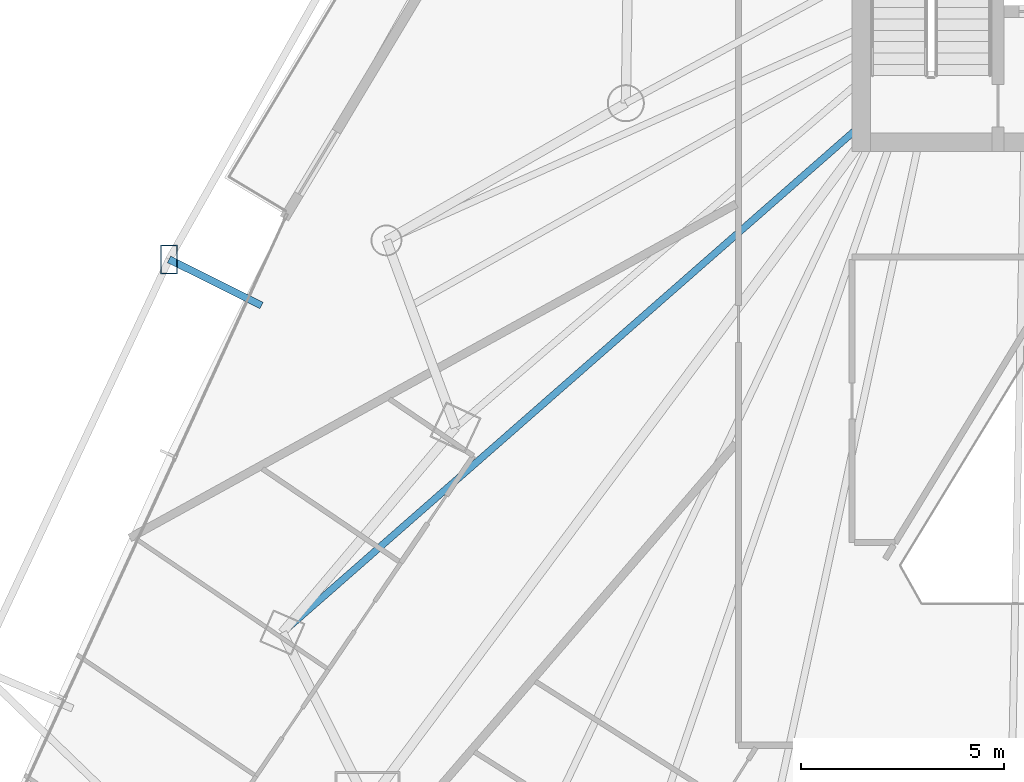
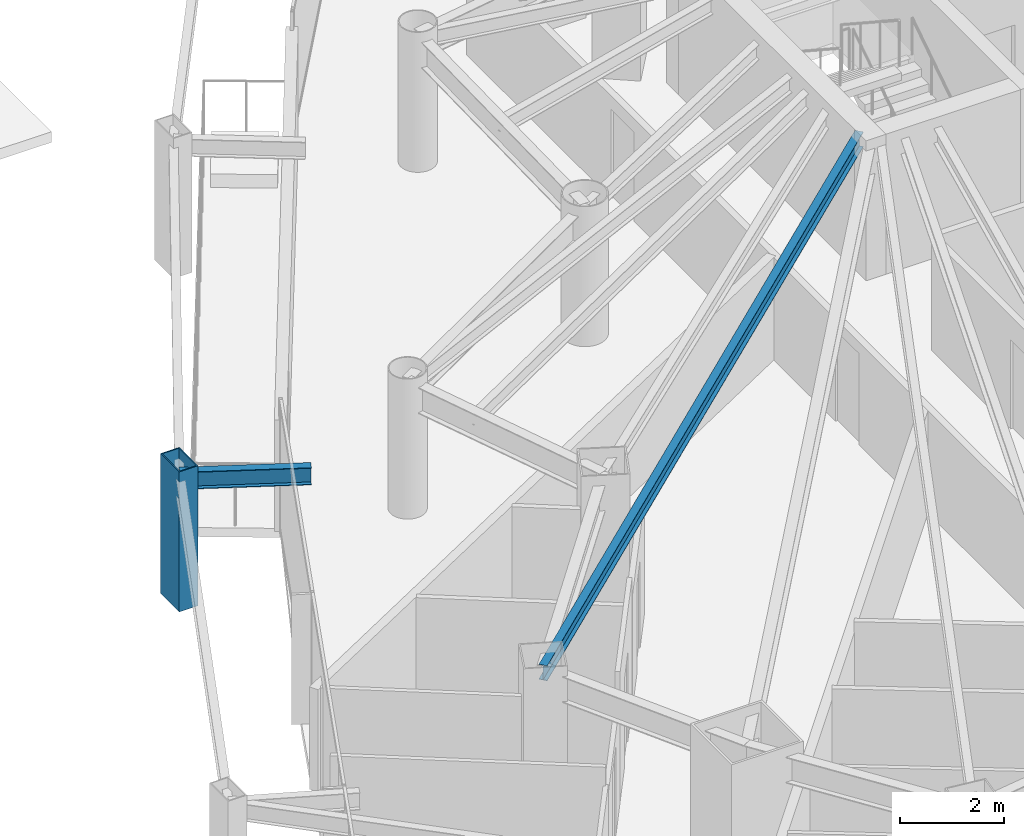
# One storey, part 10 of 35: 2 beams, 1 member.
"""IFC4 building model written with IfcOpenShell, lengths in metres."""

from ifc_helpers import new_model, si_unit, direction, frame, origin, origin_2d, place, context, subcontext, project, spatial, hollow_rectangle, i_section, extrude, material, material_profile, profile_set, type_object, element, save


model = new_model("IFC4")

# Units and contexts
model_context = context("Model", 3, precision=1e-05, world=origin(), true_north=direction((0.0, 1.0)))
body_context = subcontext(model_context, "Body", "Model", "MODEL_VIEW")
ifc_project = project(units=[si_unit("LENGTHUNIT", "METRE"), si_unit("AREAUNIT", "SQUARE_METRE"), si_unit("VOLUMEUNIT", "CUBIC_METRE"), si_unit("PLANEANGLEUNIT", "RADIAN"), si_unit("MASSUNIT", "GRAM", prefix="KILO")], contexts=[model_context])

# Site, building, storey
site_placement = place(None, origin())
site = spatial("IfcSite", under=ifc_project, at=site_placement, CompositionType="ELEMENT")
building_placement = place(site_placement, origin())
building = spatial("IfcBuilding", under=site, at=building_placement, Name="Orvanel Arch Residences", CompositionType="ELEMENT")
storey_placement = place(building_placement, frame((0.0, 0.0, 26.89990234375)))
storey = spatial("IfcBuildingStorey", under=building, at=storey_placement, Name="L06", CompositionType="ELEMENT", Elevation=26.89990234375)

# Beam
ifc_material_1 = material(Name="Structural steel AS/NZS 3679.1 Grade 300 (300 MPa)", Category="steel")
ifc_material_profile_1 = material_profile(ifc_material_1, i_section(OverallWidth=0.1708984375, OverallDepth=0.35595703125, WebThickness=0.00732421875, FlangeThickness=0.011474609375, at=origin_2d()), Name="360UB50.7")
ifc_profile_set_1 = profile_set([ifc_material_profile_1], Name="Structural steel AS/NZS 3679.1 Grade 300 (300 MPa)")
beam_type_1 = type_object("IfcBeamType", Name="BJ-360UB", PredefinedType="JOIST", material=ifc_profile_set_1)
beam_1_placement = place(storey_placement, frame((26.375, 27.10009765625, 2.882080078125), z_axis=(-0.751924114057, -0.659249669472, 0.0), x_axis=(0.659249669472, -0.751924114057, 0.0)))
element("IfcBeam", 1, at=beam_1_placement, inside=storey, type_object=beam_type_1, Name="L06 MW Wing Floor Joist", PredefinedType="JOIST", context=body_context, shape_type="SweptSolid", body=[
    extrude(i_section(OverallWidth=0.1708984375, OverallDepth=0.35595703125, WebThickness=0.00732421875, FlangeThickness=0.011474609375, at=origin_2d()), origin(), (0.0, 0.0, 1.0), 18.9912109375),
])

# Member
ifc_material_2 = material(Name="Structural steel AS/NZS 3678 Grade 350", Category="steel")
ifc_material_profile_2 = material_profile(ifc_material_2, hollow_rectangle(XDim=0.419921875, YDim=0.719970703125, WallThickness=0.02490234375, at=origin_2d()), Name="RHS720x420x25")
ifc_profile_set_2 = profile_set([ifc_material_profile_2], Name="Structural steel AS/NZS 3678 Grade 350")
member_type = type_object("IfcMemberType", Name="CH-720RHS-EXT", PredefinedType="CHORD", material=ifc_profile_set_2)
member_placement = place(storey_placement, frame((9.300048828125, 23.787109375, 0.0), z_axis=(0.0, 0.0, 1.0), x_axis=(1.0, 0.0, 0.0)))
element("IfcMember", 2, at=member_placement, inside=storey, type_object=member_type, Name="L06 Outer Perimeter Frame Post 03", PredefinedType="CHORD", context=body_context, shape_type="SweptSolid", body=[
    extrude(hollow_rectangle(XDim=0.419921875, YDim=0.719970703125, WallThickness=0.02490234375, at=origin_2d()), origin(), (0.0, 0.0, 1.0), 3.300048828125),
])

# Beam
ifc_material_profile_3 = material_profile(ifc_material_1, i_section(OverallWidth=0.177978515625, OverallDepth=0.406005859375, WebThickness=0.0078125, FlangeThickness=0.0126953125, at=origin_2d()), Name="410UB59.7")
ifc_profile_set_3 = profile_set([ifc_material_profile_3], Name="Structural steel AS/NZS 3679.1 Grade 300 (300 MPa)")
beam_type_2 = type_object("IfcBeamType", Name="OB-410UB-EXT", PredefinedType="SPANDREL", material=ifc_profile_set_3)
beam_2_placement = place(storey_placement, frame((11.58203125, 22.64990234375, 2.857177734375), z_axis=(-0.895020082623, 0.446025841966, 0.0), x_axis=(-0.446025841966, -0.895020082623, 0.0)))
element("IfcBeam", 3, at=beam_2_placement, inside=storey, type_object=beam_type_2, Name="L06 Outer Frame Radial Tie Beam 03", PredefinedType="SPANDREL", context=body_context, shape_type="SweptSolid", body=[
    extrude(i_section(OverallWidth=0.177978515625, OverallDepth=0.406005859375, WebThickness=0.0078125, FlangeThickness=0.0126953125, at=origin_2d()), origin(), (0.0, 0.0, 1.0), 2.549560546875),
])

save(model, "model.ifc")
